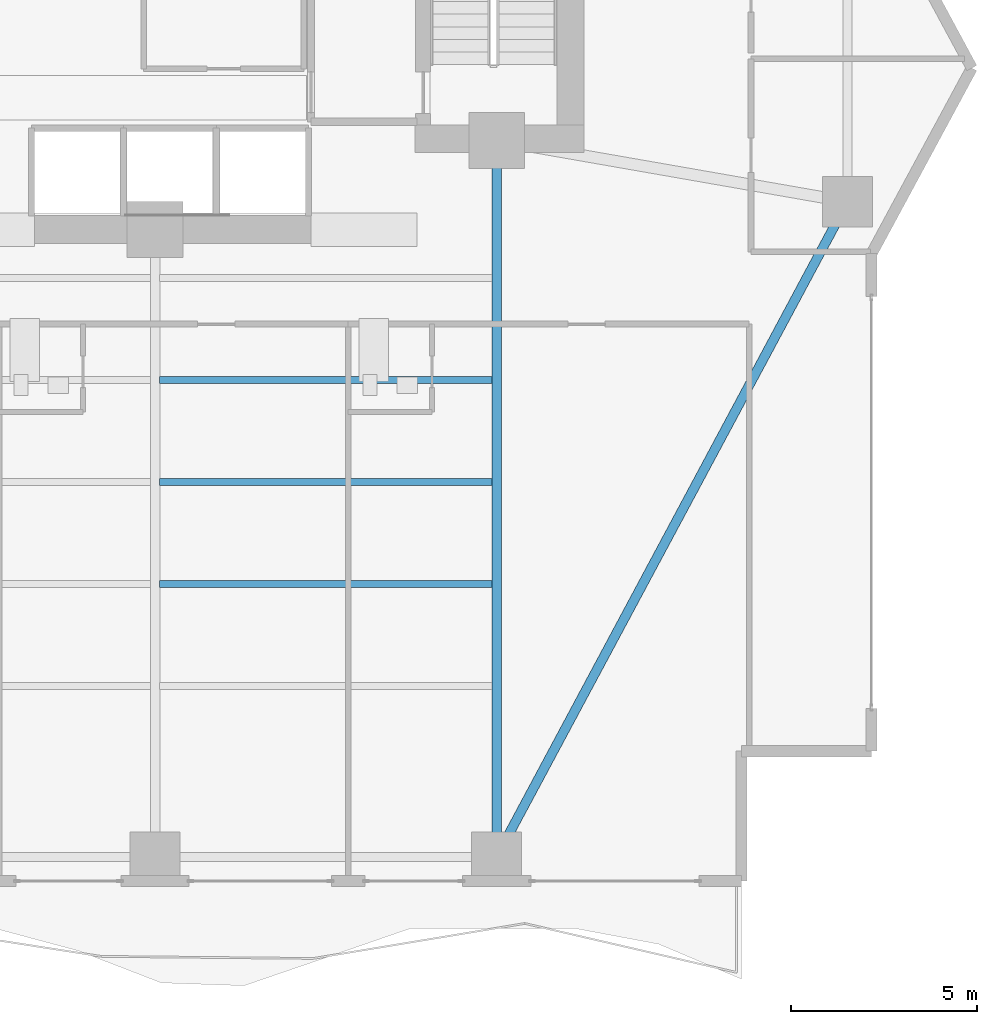
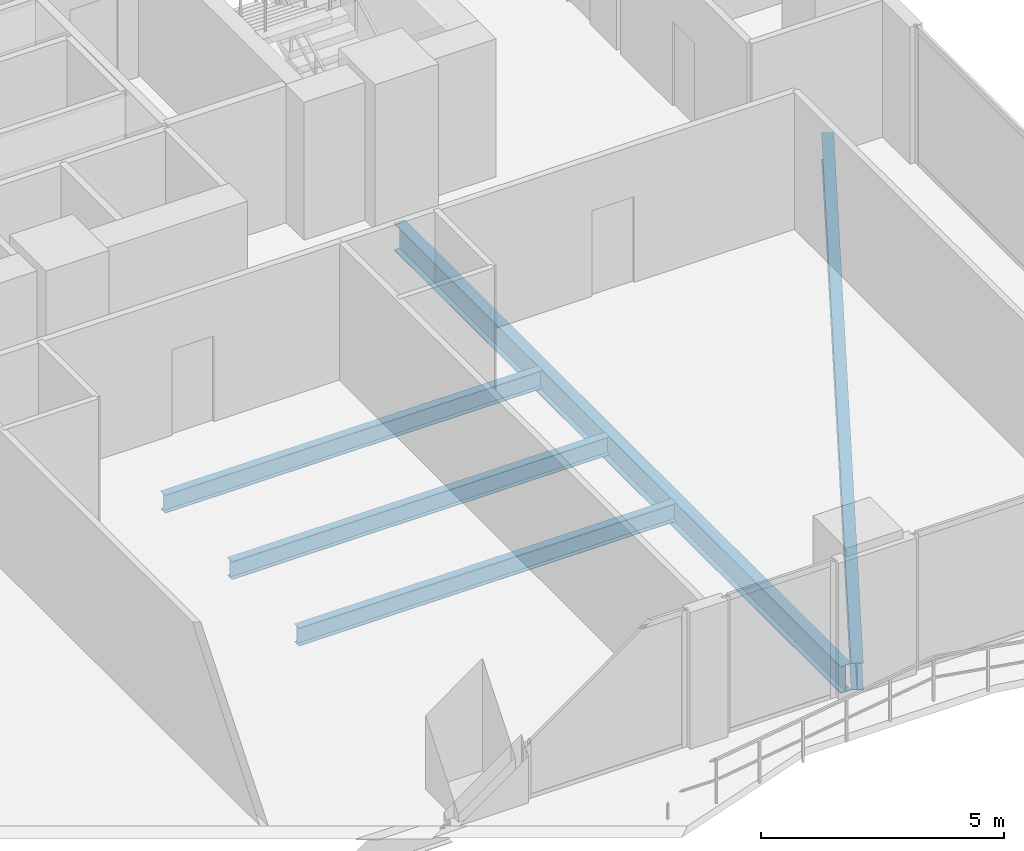
# One storey, part 10 of 27: 5 beams.
"""IFC4 building model written with IfcOpenShell, lengths in metres."""

from ifc_helpers import new_model, si_unit, direction, frame, origin, origin_2d, place, context, subcontext, project, spatial, i_section, extrude, material, material_profile, profile_set, type_object, element, save


model = new_model("IFC4")

# Units and contexts
model_context = context("Model", 3, precision=1e-05, world=origin(), true_north=direction((0.0, 1.0)))
body_context = subcontext(model_context, "Body", "Model", "MODEL_VIEW")
ifc_project = project(units=[si_unit("LENGTHUNIT", "METRE"), si_unit("AREAUNIT", "SQUARE_METRE"), si_unit("VOLUMEUNIT", "CUBIC_METRE"), si_unit("PLANEANGLEUNIT", "RADIAN"), si_unit("MASSUNIT", "GRAM", prefix="KILO")], contexts=[model_context])

# Site, building, storey
site_placement = place(None, origin())
site = spatial("IfcSite", under=ifc_project, at=site_placement, CompositionType="ELEMENT")
building_placement = place(site_placement, origin())
building = spatial("IfcBuilding", under=site, at=building_placement, Name="Zuhayl Quay Hotel", CompositionType="ELEMENT")
storey_placement = place(building_placement, frame((0.0, 0.0, 117.550048828125)))
storey = spatial("IfcBuildingStorey", under=building, at=storey_placement, Name="L29", CompositionType="ELEMENT", Elevation=117.550048828125)

# Beams
ifc_material = material(Name="Steel ASTM A992 Grade 50", Category="steel")
ifc_material_profile_1 = material_profile(ifc_material, i_section(OverallWidth=0.25390625, OverallDepth=0.68310546875, WebThickness=0.012451171875, FlangeThickness=0.018798828125, at=origin_2d()), Name="W27X94")
ifc_profile_set_1 = profile_set([ifc_material_profile_1], Name="Steel ASTM A992 Grade 50")
beam_type_1 = type_object("IfcBeamType", Name="BM_B2_W27X94", PredefinedType="BEAM", material=ifc_profile_set_1)
beam_1_placement = place(storey_placement, frame((14.035888671875, -14.30908203125, -0.5615234375), z_axis=(0.472017301959, 0.88158928456, 0.0), x_axis=(-0.88158928456, 0.472017301959, 0.0)))
element("IfcBeam", 1, at=beam_1_placement, inside=storey, type_object=beam_type_1, Name="L29 Floor Beam RG_L29_04", PredefinedType="BEAM", context=body_context, shape_type="SweptSolid", body=[
    extrude(i_section(OverallWidth=0.25390625, OverallDepth=0.68310546875, WebThickness=0.012451171875, FlangeThickness=0.018798828125, at=origin_2d()), origin(), (0.0, 0.0, 1.0), 19.0205078125),
])
beam_2_placement = place(storey_placement, frame((13.800048828125, -14.25, -0.5615234375), z_axis=(0.0, 1.0, 0.0), x_axis=(-1.0, 0.0, 0.0)))
element("IfcBeam", 2, at=beam_2_placement, inside=storey, type_object=beam_type_1, Name="L29 Floor Beam FG_S_L29_4", PredefinedType="BEAM", context=body_context, shape_type="SweptSolid", body=[
    extrude(i_section(OverallWidth=0.25390625, OverallDepth=0.68310546875, WebThickness=0.012451171875, FlangeThickness=0.018798828125, at=origin_2d()), origin(), (0.0, 0.0, 1.0), 18.35009765625),
])
ifc_material_profile_2 = material_profile(ifc_material, i_section(OverallWidth=0.18994140625, OverallDepth=0.45703125, WebThickness=0.009033203125, FlangeThickness=0.014404296875, at=origin_2d()), Name="W18X50")
ifc_profile_set_2 = profile_set([ifc_material_profile_2], Name="Steel ASTM A992 Grade 50")
beam_type_2 = type_object("IfcBeamType", Name="BM_J2_W18X50", PredefinedType="JOIST", material=ifc_profile_set_2)
for number, where, z_axis, x_axis, name in (
    (3, (4.718994140625, -7.39990234375, -0.448486328125), (1.0, 0.0, 0.0), (0.0, 1.0, 0.0), "L29 Floor Beam FJ_L29_6_3"),
    (4, (4.718994140625, -4.64990234375, -0.448486328125), (1.0, 0.0, 0.0), (0.0, 1.0, 0.0), "L29 Floor Beam FJ_L29_7_3"),
    (5, (4.718994140625, -1.89990234375, -0.448486328125), (1.0, 0.0, 0.0), (0.0, 1.0, 0.0), "L29 Floor Beam FJ_L29_8_3"),
):
    element("IfcBeam", number, at=place(storey_placement, frame(where, z_axis=z_axis, x_axis=x_axis)), inside=storey, type_object=beam_type_2, Name=name, PredefinedType="JOIST", context=body_context, shape_type="SweptSolid", body=[
        extrude(i_section(OverallWidth=0.18994140625, OverallDepth=0.45703125, WebThickness=0.009033203125, FlangeThickness=0.014404296875, at=origin_2d()), origin(), (0.0, 0.0, 1.0), 8.9619140625),
    ])

save(model, "model.ifc")
